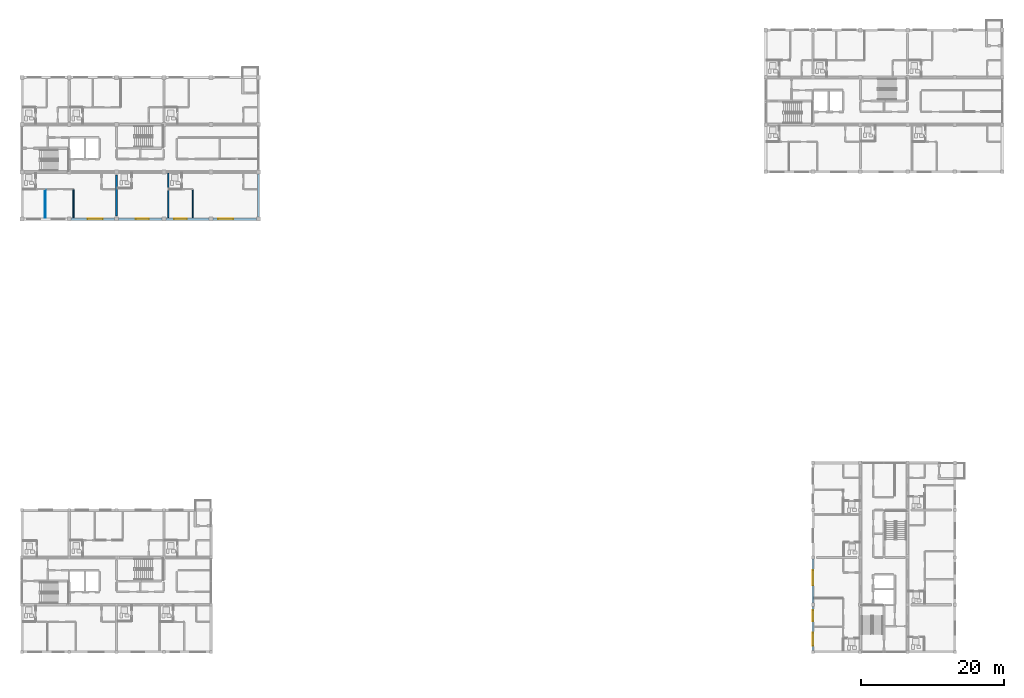
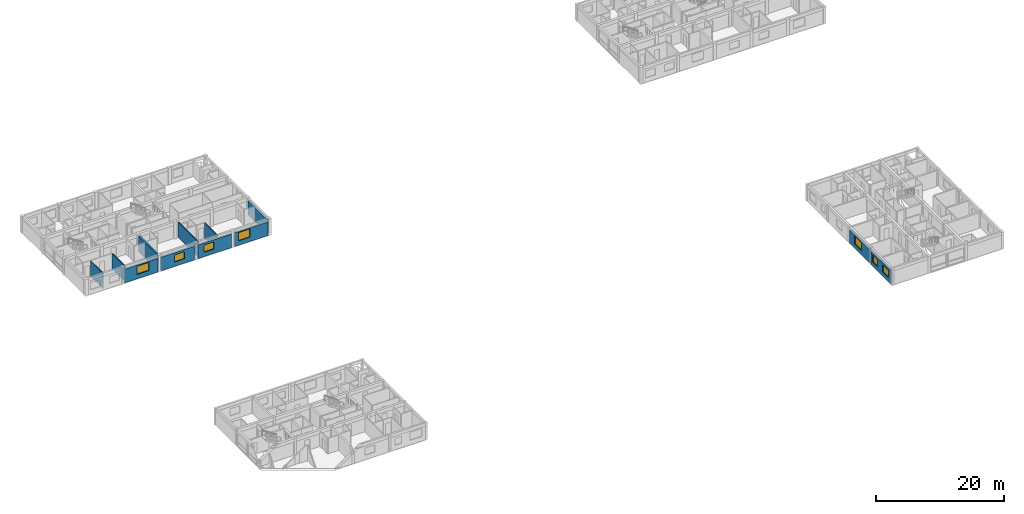
# One storey, part 27 of 45: 12 walls, 7 windows, 7 openings.
"""IFC4 building model written with IfcOpenShell, lengths in metres."""

from ifc_helpers import new_model, si_unit, direction, frame, frame_2d, origin, place, context, subcontext, project, spatial, rectangle, extrude, material, layer, layer_set, type_object, element, fill, save


model = new_model("IFC4")

# Units and contexts
model_context = context("Model", 3, precision=1e-05, world=origin(), true_north=direction((0.0, 1.0)))
body_context = subcontext(model_context, "Body", "Model", "MODEL_VIEW")
ifc_project = project(units=[si_unit("LENGTHUNIT", "METRE"), si_unit("AREAUNIT", "SQUARE_METRE"), si_unit("VOLUMEUNIT", "CUBIC_METRE"), si_unit("PLANEANGLEUNIT", "RADIAN"), si_unit("MASSUNIT", "GRAM", prefix="KILO")], contexts=[model_context])

# Site, building, storey
site_placement = place(None, origin())
site = spatial("IfcSite", under=ifc_project, at=site_placement, CompositionType="ELEMENT")
building_placement = place(site_placement, origin())
building = spatial("IfcBuilding", under=site, at=building_placement, Name="Kernevlak Ridge Housing Community", CompositionType="ELEMENT")
storey_placement = place(building_placement, frame((0.0, 0.0, 21.199951171875)))
storey = spatial("IfcBuildingStorey", under=building, at=storey_placement, Name="L06", CompositionType="ELEMENT", Elevation=21.199951171875)

# Wall, opening, window
ifc_material_1 = material(Name="Concrete block masonry M10", Category="masonry")
ifc_layer_1 = layer(ifc_material_1, 0.320068359375, Name="Concrete block masonry M10")
ifc_layer_set_1 = layer_set([ifc_layer_1], Name="Concrete block masonry M10")
wall_type_1 = type_object("IfcWallType", Name="EW-02", PredefinedType="STANDARD", material=ifc_layer_set_1)
wall_1_placement = place(storey_placement, frame((22.47509765625, 76.0, 0.0), z_axis=(0.0, 0.0, 1.0), x_axis=(1.0, 0.0, 0.0)))
wall_1 = element("IfcWall", 1, at=wall_1_placement, inside=storey, type_object=wall_type_1, Name="Exterior wall EW-02 L06 94", PredefinedType="STANDARD", context=body_context, shape_type="SweptSolid", body=[
    extrude(rectangle(XDim=6.0498046875, YDim=0.320068359375, at=frame_2d((3.02490234375, 0.0))), origin(), (0.0, 0.0, 1.0), 2.60009765625),
])
opening_1_placement = place(wall_1_placement, frame((2.27099609375, 0.0, 0.85009765625)))
opening_1 = element("IfcOpeningElement", 2, at=opening_1_placement, cuts=wall_1, Name="Opening WT-05", PredefinedType="OPENING", context=body_context, shape_type="SweptSolid", body=[
    extrude(rectangle(XDim=2.10009765625, YDim=1.550048828125, at=frame_2d((1.050048828125, 0.77490234375))), frame((0.0, 0.169921875, 0.0), z_axis=(0.0, -1.0, 0.0), x_axis=(1.0, 0.0, 0.0)), (0.0, 0.0, 1.0), 0.340087890625),
])
ifc_material_2 = material(Name="Aluminium EN AW-6060 anodised and laminated glass", Category="aluminium")
window_type_1 = type_object("IfcWindowType", Name="WT-05", PartitioningType="SINGLE_PANEL", PredefinedType="WINDOW", material=ifc_material_2)
window_1_placement = place(opening_1_placement, origin())
window_1 = element("IfcWindow", 3, at=window_1_placement, inside=storey, type_object=window_type_1, Name="Window WT-05 L06 72", OverallHeight=1.550048828125, OverallWidth=2.10009765625, PartitioningType="SINGLE_PANEL", PredefinedType="WINDOW", context=body_context, shape_type="SweptSolid", body=[
    extrude(rectangle(XDim=2.10009765625, YDim=1.550048828125, at=frame_2d((1.050048828125, 0.77490234375))), frame((0.0, 0.030029296875, 0.0), z_axis=(0.0, -1.0, 0.0), x_axis=(1.0, 0.0, 0.0)), (0.0, 0.0, 1.0), 0.06005859375),
])
fill(opening_1, window_1)

wall_2_placement = place(storey_placement, frame((29.074951171875, 76.0, 0.0), z_axis=(0.0, 0.0, 1.0), x_axis=(1.0, 0.0, 0.0)))
wall_2 = element("IfcWall", 4, at=wall_2_placement, inside=storey, type_object=wall_type_1, Name="Exterior wall EW-02 L06 95", PredefinedType="STANDARD", context=body_context, shape_type="SweptSolid", body=[
    extrude(rectangle(XDim=6.050048828125, YDim=0.320068359375, at=frame_2d((3.02490234375, 0.0))), origin(), (0.0, 0.0, 1.0), 2.60009765625),
])
opening_2_placement = place(wall_2_placement, frame((2.425048828125, 0.0, 0.85009765625)))
opening_2 = element("IfcOpeningElement", 5, at=opening_2_placement, cuts=wall_2, Name="Opening WT-03", PredefinedType="OPENING", context=body_context, shape_type="SweptSolid", body=[
    extrude(rectangle(XDim=1.800048828125, YDim=1.35009765625, at=frame_2d((0.89990234375, 0.675048828125))), frame((0.0, 0.169921875, 0.0), z_axis=(0.0, -1.0, 0.0), x_axis=(1.0, 0.0, 0.0)), (0.0, 0.0, 1.0), 0.340087890625),
])
window_type_2 = type_object("IfcWindowType", Name="WT-03", PartitioningType="SINGLE_PANEL", PredefinedType="WINDOW", material=ifc_material_2)
window_2_placement = place(opening_2_placement, origin())
window_2 = element("IfcWindow", 6, at=window_2_placement, inside=storey, type_object=window_type_2, Name="Window WT-03 L06 73", OverallHeight=1.35009765625, OverallWidth=1.800048828125, PartitioningType="SINGLE_PANEL", PredefinedType="WINDOW", context=body_context, shape_type="SweptSolid", body=[
    extrude(rectangle(XDim=1.800048828125, YDim=1.35009765625, at=frame_2d((0.89990234375, 0.675048828125))), frame((0.0, 0.030029296875, 0.0), z_axis=(0.0, -1.0, 0.0), x_axis=(1.0, 0.0, 0.0)), (0.0, 0.0, 1.0), 0.06005859375),
])
fill(opening_2, window_2)

wall_3_placement = place(storey_placement, frame((35.675048828125, 76.0, 0.0), z_axis=(0.0, 0.0, 1.0), x_axis=(1.0, 0.0, 0.0)))
wall_3 = element("IfcWall", 7, at=wall_3_placement, inside=storey, type_object=wall_type_1, Name="Exterior wall EW-02 L06 96", PredefinedType="STANDARD", context=body_context, shape_type="SweptSolid", body=[
    extrude(rectangle(XDim=6.050048828125, YDim=0.320068359375, at=frame_2d((3.02490234375, 0.0))), origin(), (0.0, 0.0, 1.0), 2.60009765625),
])
opening_3_placement = place(wall_3_placement, frame((1.14990234375, 0.0, 0.85009765625)))
opening_3 = element("IfcOpeningElement", 8, at=opening_3_placement, cuts=wall_3, Name="Opening WT-03", PredefinedType="OPENING", context=body_context, shape_type="SweptSolid", body=[
    extrude(rectangle(XDim=1.800048828125, YDim=1.35009765625, at=frame_2d((0.89990234375, 0.675048828125))), frame((0.0, 0.169921875, 0.0), z_axis=(0.0, -1.0, 0.0), x_axis=(1.0, 0.0, 0.0)), (0.0, 0.0, 1.0), 0.340087890625),
])
window_3_placement = place(opening_3_placement, origin())
window_3 = element("IfcWindow", 9, at=window_3_placement, inside=storey, type_object=window_type_2, Name="Window WT-03 L06 74", OverallHeight=1.35009765625, OverallWidth=1.800048828125, PartitioningType="SINGLE_PANEL", PredefinedType="WINDOW", context=body_context, shape_type="SweptSolid", body=[
    extrude(rectangle(XDim=1.800048828125, YDim=1.35009765625, at=frame_2d((0.89990234375, 0.675048828125))), frame((0.0, 0.030029296875, 0.0), z_axis=(0.0, -1.0, 0.0), x_axis=(1.0, 0.0, 0.0)), (0.0, 0.0, 1.0), 0.06005859375),
])
fill(opening_3, window_3)

wall_4_placement = place(storey_placement, frame((42.27490234375, 76.0, 0.0), z_axis=(0.0, 0.0, 1.0), x_axis=(1.0, 0.0, 0.0)))
wall_4 = element("IfcWall", 10, at=wall_4_placement, inside=storey, type_object=wall_type_1, Name="Exterior wall EW-02 L06 97", PredefinedType="STANDARD", context=body_context, shape_type="SweptSolid", body=[
    extrude(rectangle(XDim=6.050048828125, YDim=0.320068359375, at=frame_2d((3.02490234375, 0.0))), origin(), (0.0, 0.0, 1.0), 2.60009765625),
])
opening_4_placement = place(wall_4_placement, frame((0.699951171875, 0.0, 0.85009765625)))
opening_4 = element("IfcOpeningElement", 11, at=opening_4_placement, cuts=wall_4, Name="Opening WT-05", PredefinedType="OPENING", context=body_context, shape_type="SweptSolid", body=[
    extrude(rectangle(XDim=2.10009765625, YDim=1.550048828125, at=frame_2d((1.050048828125, 0.77490234375))), frame((0.0, 0.169921875, 0.0), z_axis=(0.0, -1.0, 0.0), x_axis=(1.0, 0.0, 0.0)), (0.0, 0.0, 1.0), 0.340087890625),
])
window_4_placement = place(opening_4_placement, origin())
window_4 = element("IfcWindow", 12, at=window_4_placement, inside=storey, type_object=window_type_1, Name="Window WT-05 L06 75", OverallHeight=1.550048828125, OverallWidth=2.10009765625, PartitioningType="SINGLE_PANEL", PredefinedType="WINDOW", context=body_context, shape_type="SweptSolid", body=[
    extrude(rectangle(XDim=2.10009765625, YDim=1.550048828125, at=frame_2d((1.050048828125, 0.77490234375))), frame((0.0, 0.030029296875, 0.0), z_axis=(0.0, -1.0, 0.0), x_axis=(1.0, 0.0, 0.0)), (0.0, 0.0, 1.0), 0.06005859375),
])
fill(opening_4, window_4)

# Wall
wall_5_placement = place(storey_placement, frame((48.60009765625, 76.27490234375, 0.0), z_axis=(0.0, 0.0, 1.0), x_axis=(0.0, 1.0, 0.0)))
element("IfcWall", 13, at=wall_5_placement, inside=storey, type_object=wall_type_1, Name="Exterior wall EW-02 L06 107", PredefinedType="STANDARD", context=body_context, shape_type="SweptSolid", body=[
    extrude(rectangle(XDim=6.050048828125, YDim=0.320068359375, at=frame_2d((3.02490234375, 0.0))), origin(), (0.0, 0.0, 1.0), 2.650146484375),
])

# Wall, openings, windows
wall_6_placement = place(storey_placement, frame((126.0, 15.824951171875, 0.0), z_axis=(0.0, 0.0, 1.0), x_axis=(0.0, 1.0, 0.0)))
wall_6 = element("IfcWall", 14, at=wall_6_placement, inside=storey, type_object=wall_type_1, Name="Exterior wall EW-02 L06 614", PredefinedType="STANDARD", context=body_context, shape_type="SweptSolid", body=[
    extrude(rectangle(XDim=6.150146484375, YDim=0.320068359375, at=frame_2d((3.0751953125, 0.0))), origin(), (0.0, 0.0, 1.0), 2.60009765625),
])
opening_5_placement = place(wall_6_placement, frame((0.64990234375, 0.0, 0.85009765625)))
opening_5 = element("IfcOpeningElement", 15, at=opening_5_placement, cuts=wall_6, Name="Opening WT-03", PredefinedType="OPENING", context=body_context, shape_type="SweptSolid", body=[
    extrude(rectangle(XDim=1.800048828125, YDim=1.35009765625, at=frame_2d((0.89990234375, 0.675048828125))), frame((0.0, 0.169921875, 0.0), z_axis=(0.0, -1.0, 0.0), x_axis=(1.0, 0.0, 0.0)), (0.0, 0.0, 1.0), 0.340087890625),
])
opening_6_placement = place(wall_6_placement, frame((4.074951171875, 0.0, 0.85009765625)))
opening_6 = element("IfcOpeningElement", 16, at=opening_6_placement, cuts=wall_6, Name="Opening WT-02", PredefinedType="OPENING", context=body_context, shape_type="SweptSolid", body=[
    extrude(rectangle(XDim=1.5, YDim=1.35009765625, at=frame_2d((0.75, 0.675048828125))), frame((0.0, 0.169921875, 0.0), z_axis=(0.0, -1.0, 0.0), x_axis=(1.0, 0.0, 0.0)), (0.0, 0.0, 1.0), 0.340087890625),
])
window_type_3 = type_object("IfcWindowType", Name="WT-02", PartitioningType="SINGLE_PANEL", PredefinedType="WINDOW", material=ifc_material_2)
window_5_placement = place(opening_6_placement, origin())
window_5 = element("IfcWindow", 17, at=window_5_placement, inside=storey, type_object=window_type_3, Name="Window WT-02 L06 499", OverallHeight=1.35009765625, OverallWidth=1.5, PartitioningType="SINGLE_PANEL", PredefinedType="WINDOW", context=body_context, shape_type="SweptSolid", body=[
    extrude(rectangle(XDim=1.5, YDim=1.35009765625, at=frame_2d((0.75, 0.675048828125))), frame((0.0, 0.030029296875, 0.0), z_axis=(0.0, -1.0, 0.0), x_axis=(1.0, 0.0, 0.0)), (0.0, 0.0, 1.0), 0.06005859375),
])
fill(opening_6, window_5)
window_6_placement = place(opening_5_placement, origin())
window_6 = element("IfcWindow", 18, at=window_6_placement, inside=storey, type_object=window_type_2, Name="Window WT-03 L06 498", OverallHeight=1.35009765625, OverallWidth=1.800048828125, PartitioningType="SINGLE_PANEL", PredefinedType="WINDOW", context=body_context, shape_type="SweptSolid", body=[
    extrude(rectangle(XDim=1.800048828125, YDim=1.35009765625, at=frame_2d((0.89990234375, 0.675048828125))), frame((0.0, 0.030029296875, 0.0), z_axis=(0.0, -1.0, 0.0), x_axis=(1.0, 0.0, 0.0)), (0.0, 0.0, 1.0), 0.06005859375),
])
fill(opening_5, window_6)

# Wall, opening, window
wall_7_placement = place(storey_placement, frame((126.0, 22.425048828125, 0.0), z_axis=(0.0, 0.0, 1.0), x_axis=(0.0, 1.0, 0.0)))
wall_7 = element("IfcWall", 19, at=wall_7_placement, inside=storey, type_object=wall_type_1, Name="Exterior wall EW-02 L06 615", PredefinedType="STANDARD", context=body_context, shape_type="SweptSolid", body=[
    extrude(rectangle(XDim=6.14990234375, YDim=0.320068359375, at=frame_2d((3.074951171875, 0.0))), origin(), (0.0, 0.0, 1.0), 2.60009765625),
])
opening_7_placement = place(wall_7_placement, frame((2.470947265625, 0.0, 0.85009765625)))
opening_7 = element("IfcOpeningElement", 20, at=opening_7_placement, cuts=wall_7, Name="Opening WT-05", PredefinedType="OPENING", context=body_context, shape_type="SweptSolid", body=[
    extrude(rectangle(XDim=2.10009765625, YDim=1.550048828125, at=frame_2d((1.050048828125, 0.77490234375))), frame((0.0, 0.169921875, 0.0), z_axis=(0.0, -1.0, 0.0), x_axis=(1.0, 0.0, 0.0)), (0.0, 0.0, 1.0), 0.340087890625),
])
window_7_placement = place(opening_7_placement, origin())
window_7 = element("IfcWindow", 21, at=window_7_placement, inside=storey, type_object=window_type_1, Name="Window WT-05 L06 500", OverallHeight=1.550048828125, OverallWidth=2.10009765625, PartitioningType="SINGLE_PANEL", PredefinedType="WINDOW", context=body_context, shape_type="SweptSolid", body=[
    extrude(rectangle(XDim=2.10009765625, YDim=1.550048828125, at=frame_2d((1.050048828125, 0.77490234375))), frame((0.0, 0.030029296875, 0.0), z_axis=(0.0, -1.0, 0.0), x_axis=(1.0, 0.0, 0.0)), (0.0, 0.0, 1.0), 0.06005859375),
])
fill(opening_7, window_7)

# Walls
ifc_layer_2 = layer(ifc_material_1, 0.175048828125, Name="Concrete block masonry M10")
ifc_layer_set_2 = layer_set([ifc_layer_2], Name="Concrete block masonry M10")
wall_type_2 = type_object("IfcWallType", Name="PW-02", PredefinedType="PARTITIONING", material=ifc_layer_set_2)
wall_8_placement = place(storey_placement, frame((36.0, 82.419921875, 0.0), z_axis=(0.0, 0.0, 1.0), x_axis=(0.0, -1.0, 0.0)))
element("IfcWall", 22, at=wall_8_placement, inside=storey, type_object=wall_type_2, Name="Interior wall PW-02 WAL-INT-L06-0407", PredefinedType="PARTITIONING", context=body_context, shape_type="SweptSolid", body=[
    extrude(rectangle(XDim=6.18994140625, YDim=0.175048828125, at=frame_2d((3.094970703125, 0.0))), origin(), (0.0, 0.0, 1.0), 2.9599609375),
])
ifc_layer_3 = layer(ifc_material_1, 0.14501953125, Name="Concrete block masonry M10")
ifc_layer_set_3 = layer_set([ifc_layer_3], Name="Concrete block masonry M10")
wall_type_3 = type_object("IfcWallType", Name="PW-03", PredefinedType="PARTITIONING", material=ifc_layer_set_3)
for number, where, z_axis, x_axis, name in (
    (23, (22.7919921875, 80.117431640625, 0.0), (0.0, 0.0, 1.0), (0.0, -1.0, 0.0), "Interior wall PW-03 WAL-INT-L06-0403"),
    (24, (39.449951171875, 80.117431640625, 0.0), (0.0, 0.0, 1.0), (0.0, -1.0, 0.0), "Interior wall PW-03 WAL-INT-L06-0414"),
):
    element("IfcWall", number, at=place(storey_placement, frame(where, z_axis=z_axis, x_axis=x_axis)), inside=storey, type_object=wall_type_3, Name=name, PredefinedType="PARTITIONING", context=body_context, shape_type="SweptSolid", body=[
        extrude(rectangle(XDim=3.947509765625, YDim=0.14501953125, at=frame_2d((1.9736328125, 0.0))), origin(), (0.0, 0.0, 1.0), 2.9599609375),
    ])
ifc_material_3 = material(Name="Gypsum plasterboard EN 520", Category="gypsum")
ifc_layer_4 = layer(ifc_material_3, 0.10498046875, Name="Gypsum plasterboard EN 520")
ifc_layer_set_4 = layer_set([ifc_layer_4], Name="Gypsum plasterboard EN 520")
wall_type_4 = type_object("IfcWallType", Name="PW-06", PredefinedType="PARTITIONING", material=ifc_layer_set_4)
wall_9_placement = place(storey_placement, frame((18.85009765625, 80.117431640625, 0.0), z_axis=(0.0, 0.0, 1.0), x_axis=(0.0, -1.0, 0.0)))
element("IfcWall", 25, at=wall_9_placement, inside=storey, type_object=wall_type_4, Name="Interior wall PW-06 WAL-INT-L06-0401", PredefinedType="PARTITIONING", context=body_context, shape_type="SweptSolid", body=[
    extrude(rectangle(XDim=3.947509765625, YDim=0.10498046875, at=frame_2d((1.9736328125, 0.0))), origin(), (0.0, 0.0, 1.0), 2.9599609375),
])
ifc_material_4 = material(Name="Concrete C40/50", Category="concrete")
ifc_layer_5 = layer(ifc_material_4, 0.300048828125, Name="Concrete C40/50")
ifc_layer_set_5 = layer_set([ifc_layer_5], Name="Concrete C40/50")
wall_type_5 = type_object("IfcWallType", Name="SW-02", PredefinedType="SHEAR", material=ifc_layer_set_5)
wall_10_placement = place(storey_placement, frame((28.800048828125, 76.449951171875, 0.0), z_axis=(0.0, 0.0, 1.0), x_axis=(0.0, 1.0, 0.0)))
element("IfcWall", 26, at=wall_10_placement, inside=storey, type_object=wall_type_5, Name="Shear wall SW-02 Block A L06 78", PredefinedType="SHEAR", context=body_context, shape_type="SweptSolid", body=[
    extrude(rectangle(XDim=5.699951171875, YDim=0.300048828125, at=frame_2d((2.85009765625, 0.0))), origin(), (0.0, 0.0, 1.0), 2.9599609375),
])

save(model, "model.ifc")
